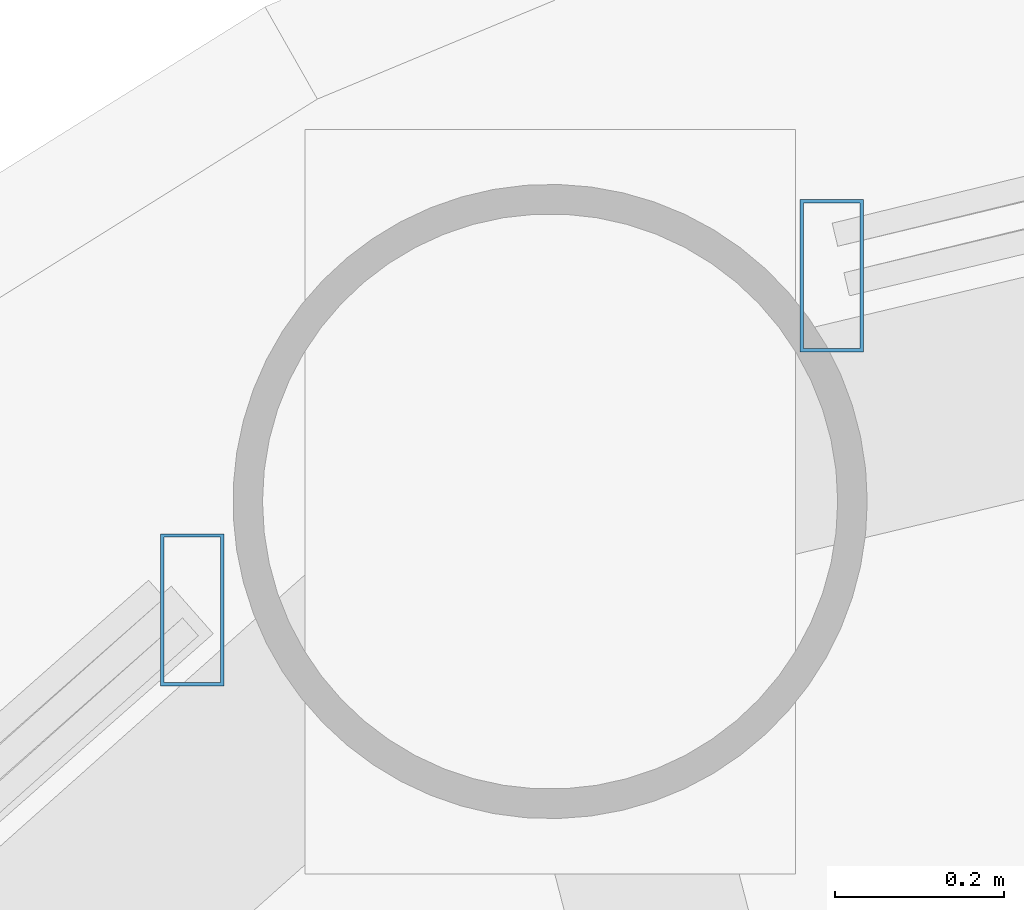
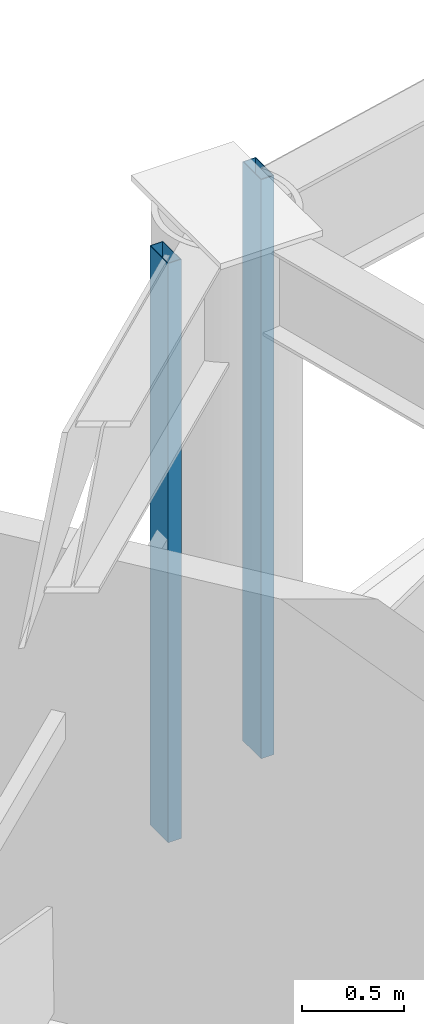
# One storey, part 16 of 32: 2 members, 2 elements without a shape of their own.
"""IFC4 building model written with IfcOpenShell, lengths in metres."""

from ifc_helpers import new_model, si_unit, direction, frame, origin, origin_2d, place, context, subcontext, project, spatial, hollow_rectangle, extrude, material, layer, layer_set, material_profile, profile_set, type_object, element, aggregate, save


model = new_model("IFC4")

# Units and contexts
model_context = context("Model", 3, precision=1e-05, world=origin(), true_north=direction((0.0, 1.0)))
body_context = subcontext(model_context, "Body", "Model", "MODEL_VIEW")
ifc_project = project(units=[si_unit("LENGTHUNIT", "METRE"), si_unit("AREAUNIT", "SQUARE_METRE"), si_unit("VOLUMEUNIT", "CUBIC_METRE"), si_unit("PLANEANGLEUNIT", "RADIAN"), si_unit("MASSUNIT", "GRAM", prefix="KILO")], contexts=[model_context])

# Site, building, storey
site_placement = place(None, origin())
site = spatial("IfcSite", under=ifc_project, at=site_placement, CompositionType="ELEMENT")
building_placement = place(site_placement, origin())
building = spatial("IfcBuilding", under=site, at=building_placement, Name="Vantalir Tower", CompositionType="ELEMENT")
storey_placement = place(building_placement, frame((0.0, 0.0, 100.949951171875)))
storey = spatial("IfcBuildingStorey", under=building, at=storey_placement, Name="L24", CompositionType="ELEMENT", Elevation=100.949951171875)

# Curtain wall, member
ifc_material_1 = material(Name="Champagne-silver PVDF aluminium and double-silver Low-E glass", Category="aluminium")
ifc_layer = layer(ifc_material_1, 0.199951171875)
ifc_layer_set = layer_set([ifc_layer], Name="Champagne-silver PVDF aluminium and double-silver Low-E glass")
curtain_wall_type = type_object("IfcCurtainWallType", Name="CW-DIAMOND-Z2", PredefinedType="USERDEFINED", material=ifc_layer_set)
curtain_wall_1_placement = place(storey_placement, origin())
curtain_wall_1 = element("IfcCurtainWall", 1, at=curtain_wall_1_placement, inside=storey, type_object=curtain_wall_type, Name="L24 Quilted Pyramid-Diamond Curtain Wall S04", ObjectType="UNITISED CURTAIN WALL", PredefinedType="USERDEFINED")
ifc_material_2 = material(Name="Champagne-silver PVDF aluminium 6063-T6", Category="aluminium")
ifc_material_profile = material_profile(ifc_material_2, hollow_rectangle(XDim=0.074951171875, YDim=0.179931640625, WallThickness=0.00390625, at=origin_2d()), Name="Champagne-silver PVDF aluminium 6063-T6")
ifc_profile_set = profile_set([ifc_material_profile], Name="Champagne-silver PVDF aluminium 6063-T6")
member_type = type_object("IfcMemberType", Name="CWM-180x75", PredefinedType="MULLION", material=ifc_profile_set)
member_1_placement = place(storey_placement, frame((19.0390625, 45.001953125, 0.045166015625), z_axis=(0.0, 0.0, 1.0), x_axis=(1.0, 0.0, 0.0)))
member_1 = element("IfcMember", 2, at=member_1_placement, type_object=member_type, Name="CW-L24-S04 Mullion 2", PredefinedType="MULLION", context=body_context, shape_type="SweptSolid", body=[
    extrude(hollow_rectangle(XDim=0.074951171875, YDim=0.179931640625, WallThickness=0.00390625, at=origin_2d()), origin(), (0.0, 0.0, 1.0), 3.47998046875),
])
aggregate(curtain_wall_1, [member_1])

curtain_wall_2_placement = place(storey_placement, origin())
curtain_wall_2 = element("IfcCurtainWall", 3, at=curtain_wall_2_placement, inside=storey, type_object=curtain_wall_type, Name="L24 Quilted Pyramid-Diamond Curtain Wall S05", ObjectType="UNITISED CURTAIN WALL", PredefinedType="USERDEFINED")
member_2_placement = place(storey_placement, frame((18.282958984375, 44.60693359375, 0.045166015625), z_axis=(0.0, 0.0, 1.0), x_axis=(1.0, 0.0, 0.0)))
member_2 = element("IfcMember", 4, at=member_2_placement, type_object=member_type, Name="CW-L24-S05 Mullion 1", PredefinedType="MULLION", context=body_context, shape_type="SweptSolid", body=[
    extrude(hollow_rectangle(XDim=0.074951171875, YDim=0.179931640625, WallThickness=0.00390625, at=origin_2d()), origin(), (0.0, 0.0, 1.0), 3.47998046875),
])
aggregate(curtain_wall_2, [member_2])

save(model, "model.ifc")
